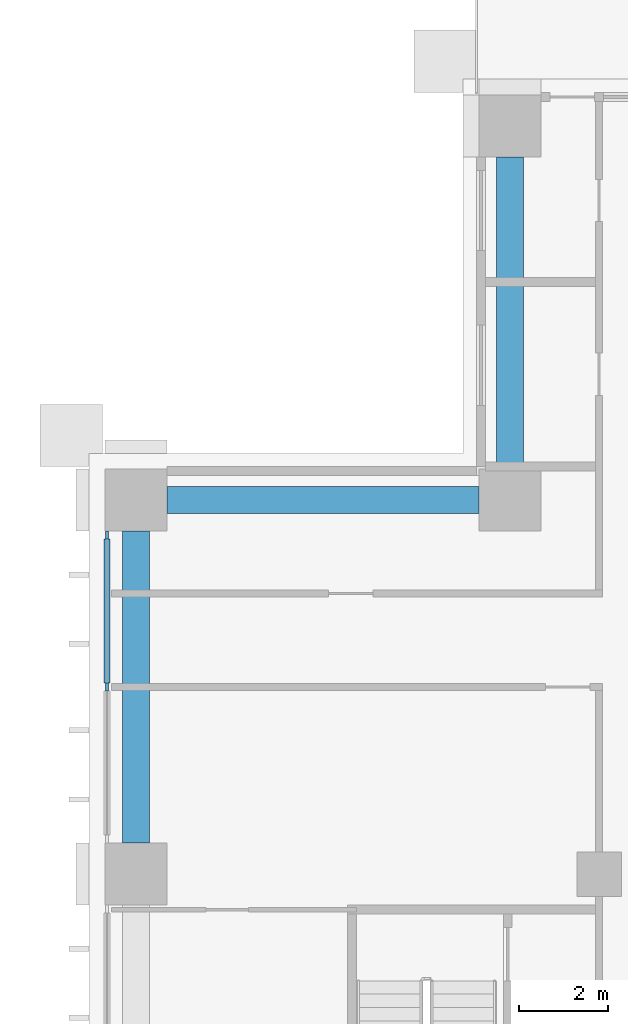
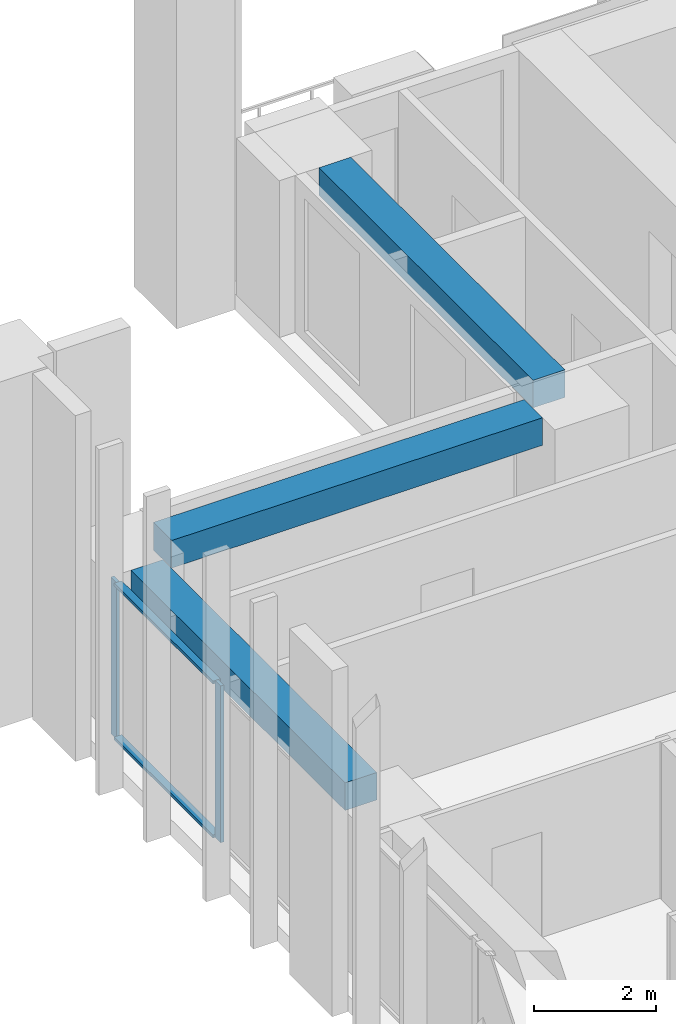
# One storey, part 5 of 19: 4 members, 3 beams, 1 element without a shape of its own.
"""IFC4 building model written with IfcOpenShell, lengths in metres."""

import ifcopenshell
import ifcopenshell.guid

model = None  # the IFC model being written
_history = None  # IfcOwnerHistory: only IFC2X3 demands one
_inside = {}  # id of a spatial element -> (the spatial element, [elements in it])
_under = {}  # id of a project, library or spatial element -> (it, [spatial elements below it])
_declared = {}  # id of a project -> (the project, [libraries it declares])
_typed = {}  # id of a type object -> (the type object, [elements of that type])
_made_of = {}  # id of a material, layer set ... -> (it, [elements and type objects made of it])


def new_model(schema):
    """Start an empty IFC model of exactly this schema.

    Asked for "IFC4X3", IfcOpenShell would pick the latest addendum, in which some entities
    have other attributes; the version numbers below select the first issue.
    IFC2X3 requires an IfcOwnerHistory on every rooted entity: one is made here for all.
    """
    global model, _history
    if schema == "IFC4X3":
        model = ifcopenshell.file(schema_version=(4, 3, 0, 0))
    else:
        model = ifcopenshell.file(schema=schema)
    _inside.clear()
    _under.clear()
    _declared.clear()
    _typed.clear()
    _made_of.clear()
    _history = None
    if model.schema == "IFC2X3":
        org = make("IfcOrganization", Name="unknown")
        user = make(
            "IfcPersonAndOrganization",
            ThePerson=make("IfcPerson", FamilyName="unknown"),
            TheOrganization=org,
        )
        app = make(
            "IfcApplication",
            ApplicationDeveloper=org,
            Version="unknown",
            ApplicationFullName="unknown",
            ApplicationIdentifier="unknown",
        )
        _history = make(
            "IfcOwnerHistory",
            OwningUser=user,
            OwningApplication=app,
            ChangeAction="ADDED",
            CreationDate=0,
        )
    return model


def make(cls, **values):
    """One entity of the class cls with the attributes given. An attribute that is None is left unset."""
    return model.create_entity(
        cls, **{name: value for name, value in values.items() if value is not None}
    )


def rooted(cls, **values):
    """An entity with a GlobalId (a new one), such as an element, a storey or a relation."""
    return make(cls, GlobalId=ifcopenshell.guid.new(), OwnerHistory=_history, **values)


def si_unit(unit_type, name, prefix=None):
    """IfcSIUnit, for example si_unit("LENGTHUNIT", "METRE", prefix="MILLI")."""
    return make("IfcSIUnit", UnitType=unit_type, Prefix=prefix, Name=name)


def assignment(units):
    """IfcUnitAssignment: the units of a project."""
    return None if units is None else make("IfcUnitAssignment", Units=units)


def point(xyz):
    """IfcCartesianPoint."""
    return None if xyz is None else make("IfcCartesianPoint", Coordinates=xyz)


def direction(xyz):
    """IfcDirection."""
    return None if xyz is None else make("IfcDirection", DirectionRatios=xyz)


def frame(location, z_axis=None, x_axis=None):
    """IfcAxis2Placement3D, a coordinate frame: its origin and axes. An axis left out is left unset."""
    return make(
        "IfcAxis2Placement3D",
        Location=point(location),
        Axis=direction(z_axis),
        RefDirection=direction(x_axis),
    )


def frame_2d(location, x_axis=None):
    """IfcAxis2Placement2D, a coordinate frame in the plane: its origin and x axis."""
    return make(
        "IfcAxis2Placement2D", Location=point(location), RefDirection=direction(x_axis)
    )


def origin():
    """The frame at (0, 0, 0) with its axes left unset."""
    return frame((0.0, 0.0, 0.0))


def origin_2d():
    """The frame at (0, 0) in the plane with its x axis left unset."""
    return frame_2d((0.0, 0.0))


def place(relative_to, where):
    """IfcLocalPlacement: puts the frame where relative to a parent placement (None: the world)."""
    return make(
        "IfcLocalPlacement", PlacementRelTo=relative_to, RelativePlacement=where
    )


def context(
    kind, dimensions, precision=None, world=None, true_north=None, identifier=None
):
    """IfcGeometricRepresentationContext, for example the 3D "Model" context."""
    return make(
        "IfcGeometricRepresentationContext",
        ContextIdentifier=identifier,
        ContextType=kind,
        CoordinateSpaceDimension=dimensions,
        Precision=precision,
        WorldCoordinateSystem=world,
        TrueNorth=true_north,
    )


def subcontext(parent, identifier, kind, view, scale=None):
    """IfcGeometricRepresentationSubContext, for example "Body" below "Model"."""
    return make(
        "IfcGeometricRepresentationSubContext",
        ContextIdentifier=identifier,
        ContextType=kind,
        ParentContext=parent,
        TargetScale=scale,
        TargetView=view,
    )


def project(units=None, contexts=None):
    """IfcProject with its units and contexts."""
    return rooted(
        "IfcProject",
        Name="project",
        RepresentationContexts=contexts,
        UnitsInContext=assignment(units),
    )


def spatial(cls, under=None, at=None, **own):
    """A site, building, storey or space (cls), placed at a placement, below another one or the project."""
    s = rooted(cls, ObjectPlacement=at, **own)
    if under is not None:
        _under.setdefault(under.id(), (under, []))[1].append(s)
    return s


def profile(cls, at=None, kind="AREA", **sizes):
    """A parametric profile (cls). Its sizes go by their IFC names, for example OverallWidth=200.0."""
    return make(cls, ProfileType=kind, Position=at, **sizes)


def rectangle(**sizes):
    """IfcRectangleProfileDef."""
    return profile("IfcRectangleProfileDef", **sizes)


def extrude(swept, where, along, depth):
    """IfcExtrudedAreaSolid: the profile swept, set in the frame where, extruded along a direction by depth."""
    return make(
        "IfcExtrudedAreaSolid",
        SweptArea=swept,
        Position=where,
        ExtrudedDirection=direction(along),
        Depth=depth,
    )


def shape(context_of_items, identifier, shape_type, items):
    """IfcShapeRepresentation: the items that make up one representation, for example the "Body"."""
    return make(
        "IfcShapeRepresentation",
        ContextOfItems=context_of_items,
        RepresentationIdentifier=identifier,
        RepresentationType=shape_type,
        Items=items,
    )


def material(Name=None, Category=None):
    """IfcMaterial."""
    return make("IfcMaterial", Name=Name, Category=Category)


def material_profile(
    of_material, cross_section, Name=None, Category=None, Priority=None
):
    """IfcMaterialProfile: a cross section and its material."""
    return make(
        "IfcMaterialProfile",
        Name=Name,
        Material=of_material,
        Profile=cross_section,
        Priority=Priority,
        Category=Category,
    )


def profile_set(profiles, Name=None, composite=None):
    """IfcMaterialProfileSet."""
    return make(
        "IfcMaterialProfileSet",
        Name=Name,
        MaterialProfiles=profiles,
        CompositeProfile=composite,
    )


def made_of(thing, what):
    """Note that an element or type object is made of a material, layer set ...; save() writes the relation."""
    if what is not None:
        _made_of.setdefault(what.id(), (what, []))[1].append(thing)
    return thing


def type_object(cls, material=None, **own):
    """A type object (cls), such as IfcWallType, which elements share."""
    return made_of(rooted(cls, **own), material)


def element(
    cls,
    number,
    at=None,
    inside=None,
    cuts=None,
    type_object=None,
    material=None,
    context=None,
    identifier="Body",
    shape_type=None,
    held_by="IfcProductDefinitionShape",
    body=None,
    shapes=None,
    **own,
):
    """One element of the class cls, such as IfcWall. Its Tag is "e" and its number.

    at: its placement. inside: the storey or other place that contains it. cuts: it is an
    opening in that element (IfcRelVoidsElement). A single representation is given by context,
    identifier, shape_type and body (its items); several are given by shapes. held_by: the class
    of the entity that holds the representations. save() writes the other relations.
    """
    e = rooted(cls, Tag="e%d" % number, ObjectPlacement=at, **own)
    if body is not None:
        shapes = [shape(context, identifier, shape_type, body)]
    if shapes is not None:
        e.Representation = make(held_by, Representations=shapes)
    if inside is not None:
        _inside.setdefault(inside.id(), (inside, []))[1].append(e)
    if cuts is not None:
        rooted(
            "IfcRelVoidsElement", RelatingBuildingElement=cuts, RelatedOpeningElement=e
        )
    if type_object is not None:
        _typed.setdefault(type_object.id(), (type_object, []))[1].append(e)
    return made_of(e, material)


def aggregate(whole, parts):
    """IfcRelAggregates: a whole, such as a stair, and the parts it consists of."""
    return rooted("IfcRelAggregates", RelatingObject=whole, RelatedObjects=parts)


def save(model, path):
    """Write the relations noted so far, then the file.

    IfcRelAggregates (storeys below a building ...), IfcRelContainedInSpatialStructure (elements
    in a storey), IfcRelDefinesByType, IfcRelAssociatesMaterial and IfcRelDeclares: one each for
    every whole, place, type object, material and project.
    """
    for whole, parts in _under.values():
        aggregate(whole, parts)
    for where, things in _inside.values():
        rooted(
            "IfcRelContainedInSpatialStructure",
            RelatedElements=things,
            RelatingStructure=where,
        )
    for kind, things in _typed.values():
        rooted("IfcRelDefinesByType", RelatedObjects=things, RelatingType=kind)
    for what, things in _made_of.values():
        rooted("IfcRelAssociatesMaterial", RelatedObjects=things, RelatingMaterial=what)
    for by, libraries in _declared.values():
        rooted("IfcRelDeclares", RelatingContext=by, RelatedDefinitions=libraries)
    model.write(path)


model = new_model("IFC4")

# Units and contexts
model_context = context("Model", 3, precision=1e-05, world=origin(), true_north=direction((0.0, 1.0)))
body_context = subcontext(model_context, "Body", "Model", "MODEL_VIEW")
ifc_project = project(units=[si_unit("LENGTHUNIT", "METRE"), si_unit("AREAUNIT", "SQUARE_METRE"), si_unit("VOLUMEUNIT", "CUBIC_METRE"), si_unit("PLANEANGLEUNIT", "RADIAN"), si_unit("MASSUNIT", "GRAM", prefix="KILO")], contexts=[model_context])

# Site, building, storey
site_placement = place(None, origin())
site = spatial("IfcSite", under=ifc_project, at=site_placement, CompositionType="ELEMENT")
building_placement = place(site_placement, origin())
building = spatial("IfcBuilding", under=site, at=building_placement, Name="Vermilion Ogive Tower", CompositionType="ELEMENT")
storey_placement = place(building_placement, frame((0.0, 0.0, 62.10009765625)))
storey = spatial("IfcBuildingStorey", under=building, at=storey_placement, Name="L14", CompositionType="ELEMENT", Elevation=62.10009765625)

# Curtain wall, members
ifc_material_1 = material(Name="Low-iron laminated glazing in aluminium frame", Category="aluminium")
curtain_wall_type = type_object("IfcCurtainWallType", Name="Curtain wall CW7", PredefinedType="NOTDEFINED", material=ifc_material_1)
curtain_wall_placement = place(storey_placement, origin())
curtain_wall = element("IfcCurtainWall", 1, at=curtain_wall_placement, inside=storey, type_object=curtain_wall_type, Name="Glazed skin W1", PredefinedType="NOTDEFINED")
ifc_material_2 = material(Name="Aluminium mullion", Category="aluminium")
ifc_material_profile_1 = material_profile(ifc_material_2, rectangle(XDim=0.06005859375, YDim=0.179931640625, at=origin_2d()), Name="AL 60x180")
ifc_profile_set_1 = profile_set([ifc_material_profile_1], Name="Aluminium mullion")
member_type_1 = type_object("IfcMemberType", Name="CW7 mullion 60x180", PredefinedType="MULLION", material=ifc_profile_set_1)
member_1_placement = place(storey_placement, frame((-25.85009765625, 11.81005859375, 0.0), z_axis=(0.0, 0.0, 1.0), x_axis=(1.0, 0.0, 0.0)))
member_1 = element("IfcMember", 2, at=member_1_placement, type_object=member_type_1, Name="CW7-W1 mullion 1", PredefinedType="MULLION", context=body_context, shape_type="SweptSolid", body=[
    extrude(rectangle(XDim=0.06005859375, YDim=0.179931640625, at=origin_2d()), origin(), (0.0, 0.0, 1.0), 3.1298828125),
])
member_2_placement = place(storey_placement, frame((-25.85009765625, 8.39990234375, 0.0), z_axis=(0.0, 0.0, 1.0), x_axis=(1.0, 0.0, 0.0)))
member_2 = element("IfcMember", 3, at=member_2_placement, type_object=member_type_1, Name="CW7-W1 mullion 2", PredefinedType="MULLION", context=body_context, shape_type="SweptSolid", body=[
    extrude(rectangle(XDim=0.06005859375, YDim=0.179931640625, at=origin_2d()), origin(), (0.0, 0.0, 1.0), 3.1298828125),
])
ifc_material_3 = material(Name="Aluminium transom", Category="aluminium")
ifc_material_profile_2 = material_profile(ifc_material_3, rectangle(XDim=0.139892578125, YDim=0.06005859375, at=origin_2d()), Name="AL 60x140")
ifc_profile_set_2 = profile_set([ifc_material_profile_2], Name="Aluminium transom")
member_type_2 = type_object("IfcMemberType", Name="CW7 transom 60x140", PredefinedType="USERDEFINED", material=ifc_profile_set_2)
member_3_placement = place(storey_placement, frame((-25.85009765625, 11.719970703125, 0.02978515625), z_axis=(0.0, -1.0, 0.0), x_axis=(1.0, 0.0, 0.0)))
member_3 = element("IfcMember", 4, at=member_3_placement, type_object=member_type_2, Name="CW7-W1 transom 1.1", ObjectType="TRANSOM", PredefinedType="USERDEFINED", context=body_context, shape_type="SweptSolid", body=[
    extrude(rectangle(XDim=0.139892578125, YDim=0.06005859375, at=origin_2d()), origin(), (0.0, 0.0, 1.0), 3.22998046875),
])
member_4_placement = place(storey_placement, frame((-25.85009765625, 11.719970703125, 3.099853515625), z_axis=(0.0, -1.0, 0.0), x_axis=(1.0, 0.0, 0.0)))
member_4 = element("IfcMember", 5, at=member_4_placement, type_object=member_type_2, Name="CW7-W1 transom 1.2", ObjectType="TRANSOM", PredefinedType="USERDEFINED", context=body_context, shape_type="SweptSolid", body=[
    extrude(rectangle(XDim=0.139892578125, YDim=0.06005859375, at=origin_2d()), origin(), (0.0, 0.0, 1.0), 3.22998046875),
])
aggregate(curtain_wall, [member_1, member_2, member_3, member_4])

# Beams
ifc_material_4 = material(Name="Concrete B45", Category="concrete")
ifc_material_profile_3 = material_profile(ifc_material_4, rectangle(XDim=0.60009765625, YDim=0.550048828125, at=origin_2d()), Name="600 x 550")
ifc_profile_set_3 = profile_set([ifc_material_profile_3], Name="Concrete B45")
beam_type = type_object("IfcBeamType", Name="Edge beam 600 x 550 B45", PredefinedType="BEAM", material=ifc_profile_set_3)
for number, where, z_axis, x_axis, name in (
    (6, (-16.800048828125, 20.300048828125, 2.85498046875), (0.0, -1.0, 0.0), (1.0, 0.0, 0.0), "L14-EB-12"),
    (7, (-17.5, 12.60009765625, 2.85498046875), (-1.0, 0.0, 0.0), (0.0, -1.0, 0.0), "L14-EB-13"),
    (8, (-25.199951171875, 11.89990234375, 2.85498046875), (0.0, -1.0, 0.0), (1.0, 0.0, 0.0), "L14-EB-14"),
):
    element("IfcBeam", number, at=place(storey_placement, frame(where, z_axis=z_axis, x_axis=x_axis)), inside=storey, type_object=beam_type, Name=name, PredefinedType="BEAM", context=body_context, shape_type="SweptSolid", body=[
        extrude(rectangle(XDim=0.60009765625, YDim=0.550048828125, at=origin_2d()), origin(), (0.0, 0.0, 1.0), 7.0),
    ])

save(model, "model.ifc")
